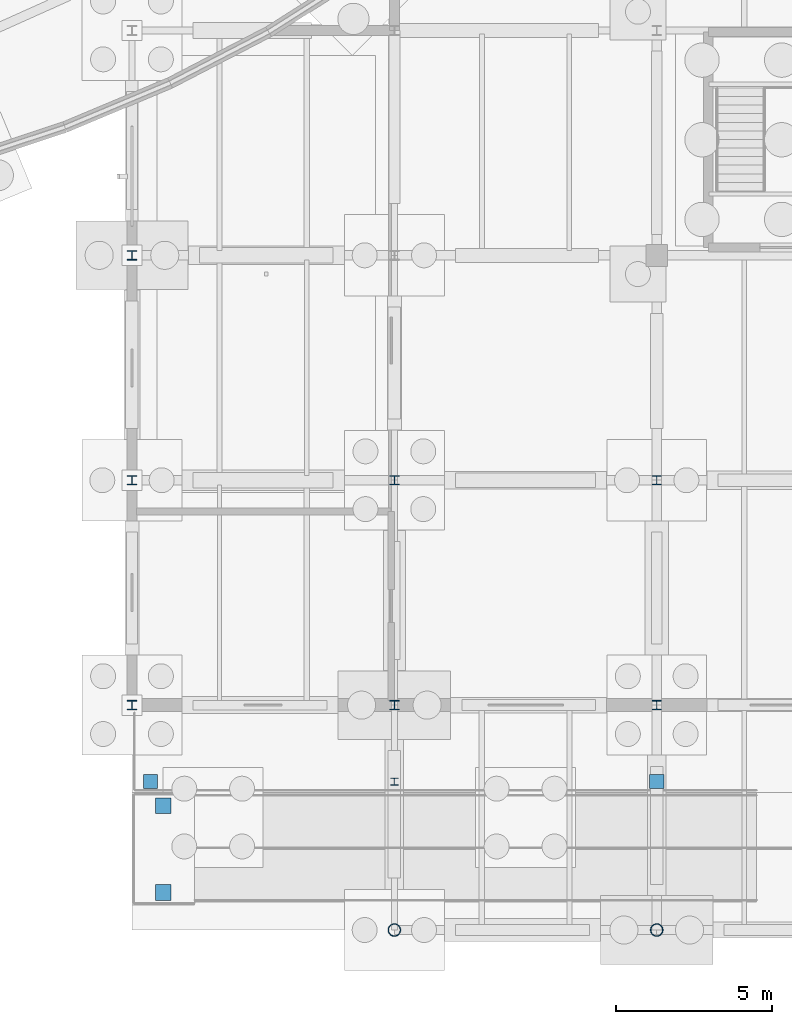
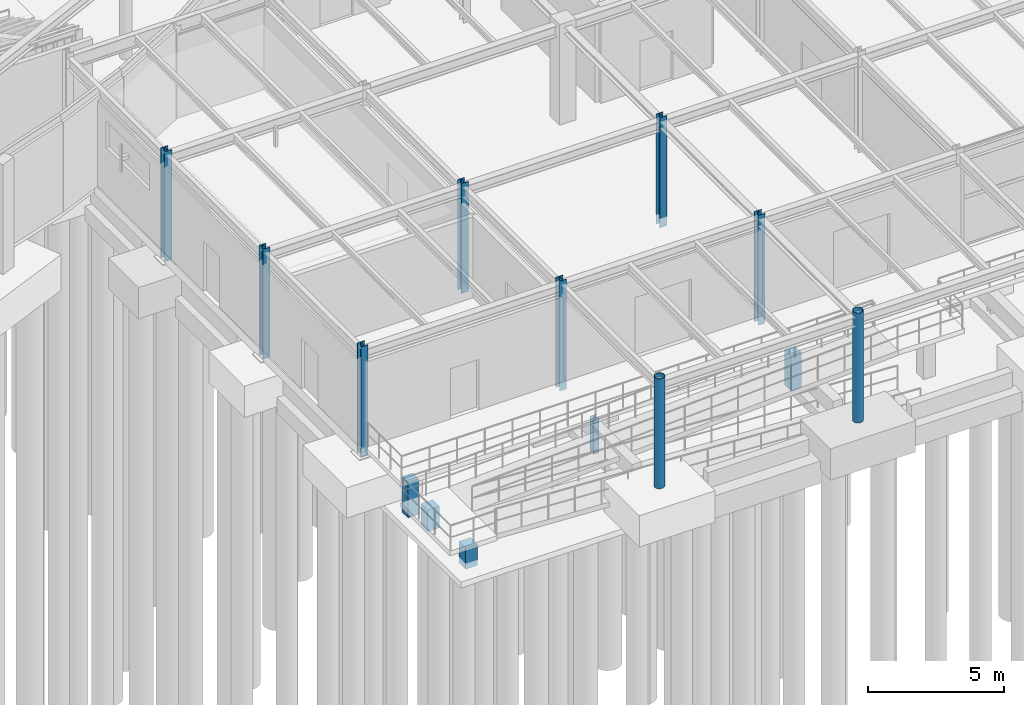
# One storey, part 13 of 93: 14 columns.
"""IFC4 building model written with IfcOpenShell, lengths in metres."""

from ifc_helpers import new_model, si_unit, derived_unit, direction, frame, origin, origin_2d, place, context, subcontext, project, spatial, rectangle, hollow_circle, i_section, extrude, material, material_profile, profile_set, type_object, element, save


model = new_model("IFC4")

# Units and contexts
model_context = context("Model", 3, precision=1e-05, world=origin(), true_north=direction((0.0, 1.0)))
body_context = subcontext(model_context, "Body", "Model", "MODEL_VIEW")
ifc_project = project(units=[si_unit("LENGTHUNIT", "METRE"), si_unit("AREAUNIT", "SQUARE_METRE"), si_unit("VOLUMEUNIT", "CUBIC_METRE"), si_unit("PLANEANGLEUNIT", "RADIAN"), si_unit("MASSUNIT", "GRAM", prefix="KILO"), derived_unit("THERMALTRANSMITTANCEUNIT", [(si_unit("MASSUNIT", "GRAM", prefix="KILO"), 1), (si_unit("TIMEUNIT", "SECOND"), -3), (si_unit("THERMODYNAMICTEMPERATUREUNIT", "KELVIN"), -1)])], contexts=[model_context])

# Site, building, storey
site_placement = place(None, origin())
site = spatial("IfcSite", under=ifc_project, at=site_placement, CompositionType="ELEMENT")
building_placement = place(site_placement, origin())
building = spatial("IfcBuilding", under=site, at=building_placement, Name="Kharveza Railside Sports Centre", CompositionType="ELEMENT")
storey_placement = place(building_placement, origin())
storey = spatial("IfcBuildingStorey", under=building, at=storey_placement, Name="L00", CompositionType="ELEMENT", Elevation=0.0)

# Columns
ifc_material_1 = material(Name="Concrete C35/45", Category="concrete")
ifc_material_profile_1 = material_profile(ifc_material_1, rectangle(XDim=0.5, YDim=0.5, at=origin_2d()), Name="RC 500x500")
ifc_profile_set_1 = profile_set([ifc_material_profile_1], Name="Concrete C35/45")
column_type_1 = type_object("IfcColumnType", Name="COL-RC03", PredefinedType="COLUMN", material=ifc_profile_set_1)
for number, where, z_axis, x_axis, name in (
    (1, (76.60009765625, 1.199951171875, -2.06005859375), (0.0, 0.0, 1.0), (1.0, 0.0, 0.0), "COL-RMP-EXT-W-C1"),
    (2, (76.60009765625, 3.97998046875, -2.06005859375), (0.0, 0.0, 1.0), (1.0, 0.0, 0.0), "COL-RMP-EXT-W-C2"),
):
    element("IfcColumn", number, at=place(storey_placement, frame(where, z_axis=z_axis, x_axis=x_axis)), inside=storey, type_object=column_type_1, Name=name, PredefinedType="COLUMN", context=body_context, shape_type="SweptSolid", body=[
        extrude(rectangle(XDim=0.5, YDim=0.5, at=origin_2d()), origin(), (0.0, 0.0, 1.0), 0.949951171875),
    ])
ifc_material_profile_2 = material_profile(ifc_material_1, rectangle(XDim=0.449951171875, YDim=0.449951171875, at=origin_2d()), Name="RC 450x450")
ifc_profile_set_2 = profile_set([ifc_material_profile_2], Name="Concrete C35/45")
column_type_2 = type_object("IfcColumnType", Name="COL-RC09", PredefinedType="COLUMN", material=ifc_profile_set_2)
for number, where, z_axis, x_axis, name in (
    (3, (76.199951171875, 4.75, -1.800048828125), (0.0, 0.0, 1.0), (1.0, 0.0, 0.0), "COL-PORTICO-01"),
    (4, (92.39990234375, 4.75, -1.800048828125), (0.0, 0.0, 1.0), (1.0, 0.0, 0.0), "COL-PORTICO-03"),
):
    element("IfcColumn", number, at=place(storey_placement, frame(where, z_axis=z_axis, x_axis=x_axis)), inside=storey, type_object=column_type_2, Name=name, PredefinedType="COLUMN", context=body_context, shape_type="SweptSolid", body=[
        extrude(rectangle(XDim=0.449951171875, YDim=0.449951171875, at=origin_2d()), origin(), (0.0, 0.0, 1.0), 1.590087890625),
    ])
ifc_material_2 = material(Name="Steel S355J2", Category="steel")
ifc_material_profile_3 = material_profile(ifc_material_2, i_section(OverallWidth=0.300048828125, OverallDepth=0.300048828125, WebThickness=0.010986328125, FlangeThickness=0.01904296875, FilletRadius=0.027099609375, at=origin_2d()), Name="HEB 300")
ifc_profile_set_3 = profile_set([ifc_material_profile_3], Name="Steel S355J2")
column_type_3 = type_object("IfcColumnType", Name="COL-S07", PredefinedType="COLUMN", material=ifc_profile_set_3)
for number, where, z_axis, x_axis, name in (
    (5, (75.60009765625, 7.199951171875, -0.419921875), (0.0, 0.0, 1.0), (1.0, 0.0, 0.0), "COL-G-C07-X756-Y72-L00"),
    (6, (75.60009765625, 14.39990234375, -0.419921875), (0.0, 0.0, 1.0), (1.0, 0.0, 0.0), "COL-G-C07-X756-Y144-L00"),
    (7, (75.60009765625, 21.60009765625, -0.419921875), (0.0, 0.0, 1.0), (1.0, 0.0, 0.0), "COL-G-C07-X756-Y216-L00"),
    (8, (84.0, 7.199951171875, -0.419921875), (0.0, 0.0, 1.0), (1.0, 0.0, 0.0), "COL-G-C07-X840-Y72-L00"),
    (9, (84.0, 14.39990234375, -0.419921875), (0.0, 0.0, 1.0), (1.0, 0.0, 0.0), "COL-G-C07-X840-Y144-L00"),
    (10, (92.39990234375, 7.199951171875, -0.419921875), (0.0, 0.0, 1.0), (1.0, 0.0, 0.0), "COL-G-C07-X924-Y72-L00"),
    (11, (92.39990234375, 14.39990234375, -0.419921875), (0.0, 0.0, 1.0), (1.0, 0.0, 0.0), "COL-G-C07-X924-Y144-L00"),
):
    element("IfcColumn", number, at=place(storey_placement, frame(where, z_axis=z_axis, x_axis=x_axis)), inside=storey, type_object=column_type_3, Name=name, PredefinedType="COLUMN", context=body_context, shape_type="SweptSolid", body=[
        extrude(i_section(OverallWidth=0.300048828125, OverallDepth=0.300048828125, WebThickness=0.010986328125, FlangeThickness=0.01904296875, FilletRadius=0.027099609375, at=origin_2d()), origin(), (0.0, 0.0, 1.0), 4.919921875),
    ])
ifc_material_3 = material(Name="Steel S275JR", Category="steel")
ifc_material_profile_4 = material_profile(ifc_material_3, i_section(OverallWidth=0.239990234375, OverallDepth=0.22998046875, WebThickness=0.007568359375, FlangeThickness=0.011962890625, FilletRadius=0.02099609375, at=origin_2d()), Name="HEA 240")
ifc_profile_set_4 = profile_set([ifc_material_profile_4], Name="Steel S275JR")
column_type_4 = type_object("IfcColumnType", Name="COL-S14", PredefinedType="COLUMN", material=ifc_profile_set_4)
column_placement = place(storey_placement, frame((84.0, 4.75, -1.800048828125), z_axis=(0.0, 0.0, 1.0), x_axis=(1.0, 0.0, 0.0)))
element("IfcColumn", 12, at=column_placement, inside=storey, type_object=column_type_4, Name="COL-PORTICO-02", PredefinedType="COLUMN", context=body_context, shape_type="SweptSolid", body=[
    extrude(i_section(OverallWidth=0.239990234375, OverallDepth=0.22998046875, WebThickness=0.007568359375, FlangeThickness=0.011962890625, FilletRadius=0.02099609375, at=origin_2d()), origin(), (0.0, 0.0, 1.0), 1.590087890625),
])
ifc_material_profile_5 = material_profile(ifc_material_2, hollow_circle(Radius=0.203125, WallThickness=0.02001953125, at=origin_2d()), Name="CHS 406.4x20.0")
ifc_profile_set_5 = profile_set([ifc_material_profile_5], Name="Steel S355J2")
column_type_5 = type_object("IfcColumnType", Name="COL-T02", PredefinedType="COLUMN", material=ifc_profile_set_5)
for number, where, z_axis, x_axis, name in (
    (13, (84.0, 0.0, -0.419921875), (0.0, 0.0, 1.0), (1.0, 0.0, 0.0), "COL-G-C16-X840-Y0-L00"),
    (14, (92.39990234375, 0.0, -0.419921875), (0.0, 0.0, 1.0), (1.0, 0.0, 0.0), "COL-G-C16-X924-Y0-L00"),
):
    element("IfcColumn", number, at=place(storey_placement, frame(where, z_axis=z_axis, x_axis=x_axis)), inside=storey, type_object=column_type_5, Name=name, PredefinedType="COLUMN", context=body_context, shape_type="SweptSolid", body=[
        extrude(hollow_circle(Radius=0.203125, WallThickness=0.02001953125, at=origin_2d()), origin(), (0.0, 0.0, 1.0), 4.919921875),
    ])

save(model, "model.ifc")
